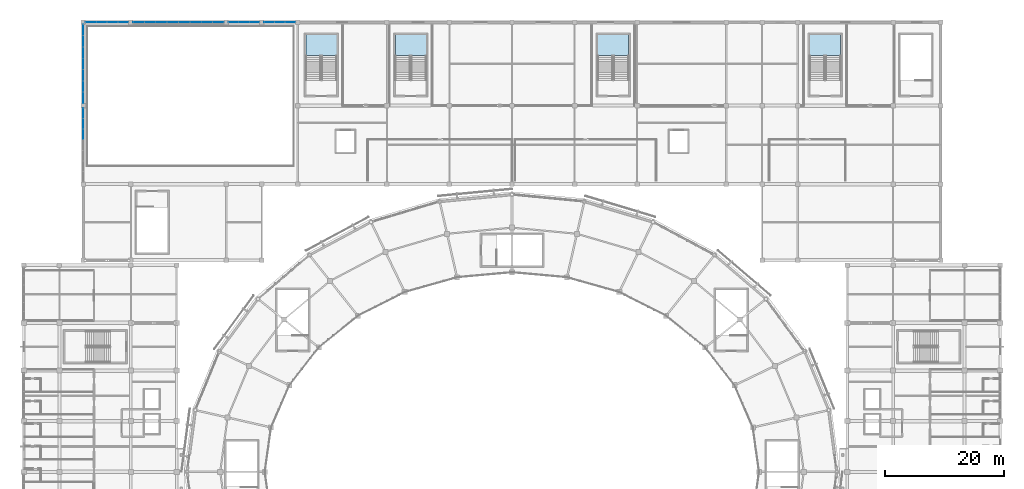
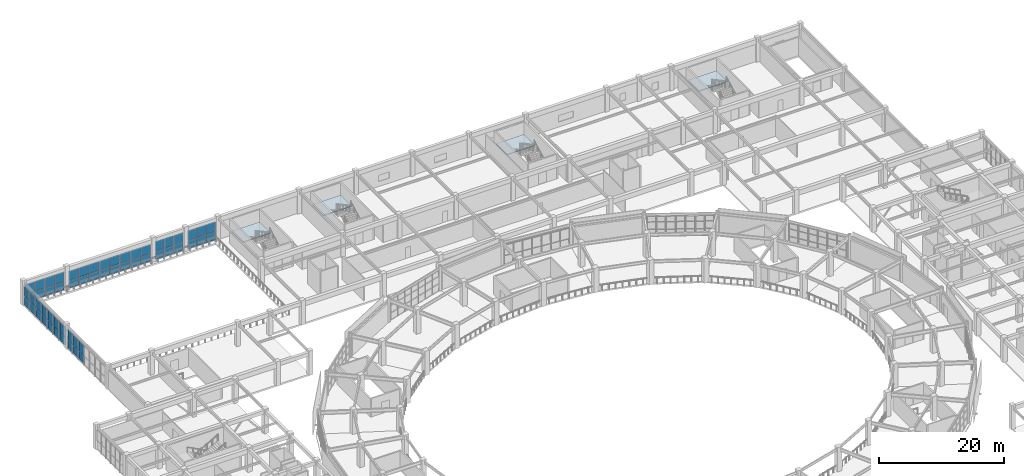
# One storey, part 76 of 112: 56 plates, 4 slabs, 10 elements without a shape of their own.
"""IFC4 building model written with IfcOpenShell, lengths in metres."""

from ifc_helpers import new_model, si_unit, direction, frame, origin, origin_2d, place, context, subcontext, project, spatial, polyline, rectangle, outline, extrude, material, layer, layer_set, type_object, element, aggregate, save


model = new_model("IFC4")

# Units and contexts
model_context = context("Model", 3, precision=1e-05, world=origin(), true_north=direction((0.0, 1.0)))
body_context = subcontext(model_context, "Body", "Model", "MODEL_VIEW")
ifc_project = project(units=[si_unit("LENGTHUNIT", "METRE"), si_unit("AREAUNIT", "SQUARE_METRE"), si_unit("VOLUMEUNIT", "CUBIC_METRE"), si_unit("PLANEANGLEUNIT", "RADIAN"), si_unit("MASSUNIT", "GRAM", prefix="KILO")], contexts=[model_context])

# Site, building, storey
site_placement = place(None, origin())
site = spatial("IfcSite", under=ifc_project, at=site_placement, CompositionType="ELEMENT")
building_placement = place(site_placement, origin())
building = spatial("IfcBuilding", under=site, at=building_placement, Name="Cuetzalor Civic Arena", CompositionType="ELEMENT")
storey_placement = place(building_placement, frame((0.0, 0.0, 11.39990234375)))
storey = spatial("IfcBuildingStorey", under=building, at=storey_placement, Name="L02", CompositionType="ELEMENT", Elevation=11.39990234375)

# Curtain wall, plates
ifc_material_1 = material(Name="Anodised dark bronze aluminium and low-E solar glass", Category="aluminium")
curtain_wall_type_1 = type_object("IfcCurtainWallType", Name="StickCW_7300x3700", PredefinedType="USERDEFINED", material=ifc_material_1)
curtain_wall_1_placement = place(storey_placement, origin())
curtain_wall_1 = element("IfcCurtainWall", 1, at=curtain_wall_1_placement, inside=storey, type_object=curtain_wall_type_1, Name="Practice Court North-Light Curtain Wall L02-157", ObjectType="STICK CURTAIN WALL", PredefinedType="USERDEFINED")
ifc_material_2 = material(Name="Low-E laminated solar control glass", Category="glass")
ifc_layer_1 = layer(ifc_material_2, 0.031982421875)
ifc_layer_set_1 = layer_set([ifc_layer_1], Name="Low-E laminated solar control glass")
plate_type = type_object("IfcPlateType", Name="SolarControlGlazedPanel_32", PredefinedType="CURTAIN_PANEL", material=ifc_layer_set_1)
plate_1_placement = place(storey_placement, frame((-70.716064453125, 75.5, 0.06494140625), z_axis=(0.0, 0.0, 1.0), x_axis=(1.0, 0.0, 0.0)))
plate_1 = element("IfcPlate", 2, at=plate_1_placement, type_object=plate_type, Name="CW-51 panel 1.1", PredefinedType="CURTAIN_PANEL", context=body_context, shape_type="SweptSolid", body=[
    extrude(rectangle(XDim=1.72412109375, YDim=0.031982421875, at=origin_2d()), origin(), (0.0, 0.0, 1.0), 1.576416015625),
])
plate_2_placement = place(storey_placement, frame((-70.716064453125, 75.5, 1.70654296875), z_axis=(0.0, 0.0, 1.0), x_axis=(1.0, 0.0, 0.0)))
plate_2 = element("IfcPlate", 3, at=plate_2_placement, type_object=plate_type, Name="CW-51 panel 1.2", PredefinedType="CURTAIN_PANEL", context=body_context, shape_type="SweptSolid", body=[
    extrude(rectangle(XDim=1.72412109375, YDim=0.031982421875, at=origin_2d()), origin(), (0.0, 0.0, 1.0), 1.948486328125),
])
plate_3_placement = place(storey_placement, frame((-68.91064453125, 75.5, 0.06494140625), z_axis=(0.0, 0.0, 1.0), x_axis=(1.0, 0.0, 0.0)))
plate_3 = element("IfcPlate", 4, at=plate_3_placement, type_object=plate_type, Name="CW-51 panel 2.1", PredefinedType="CURTAIN_PANEL", context=body_context, shape_type="SweptSolid", body=[
    extrude(rectangle(XDim=1.756591796875, YDim=0.031982421875, at=origin_2d()), origin(), (0.0, 0.0, 1.0), 1.576416015625),
])
plate_4_placement = place(storey_placement, frame((-68.91064453125, 75.5, 1.70654296875), z_axis=(0.0, 0.0, 1.0), x_axis=(1.0, 0.0, 0.0)))
plate_4 = element("IfcPlate", 5, at=plate_4_placement, type_object=plate_type, Name="CW-51 panel 2.2", PredefinedType="CURTAIN_PANEL", context=body_context, shape_type="SweptSolid", body=[
    extrude(rectangle(XDim=1.756591796875, YDim=0.031982421875, at=origin_2d()), origin(), (0.0, 0.0, 1.0), 1.948486328125),
])
plate_5_placement = place(storey_placement, frame((-67.08935546875, 75.5, 0.06494140625), z_axis=(0.0, 0.0, 1.0), x_axis=(1.0, 0.0, 0.0)))
plate_5 = element("IfcPlate", 6, at=plate_5_placement, type_object=plate_type, Name="CW-51 panel 3.1", PredefinedType="CURTAIN_PANEL", context=body_context, shape_type="SweptSolid", body=[
    extrude(rectangle(XDim=1.756591796875, YDim=0.031982421875, at=origin_2d()), origin(), (0.0, 0.0, 1.0), 1.576416015625),
])
plate_6_placement = place(storey_placement, frame((-67.08935546875, 75.5, 1.70654296875), z_axis=(0.0, 0.0, 1.0), x_axis=(1.0, 0.0, 0.0)))
plate_6 = element("IfcPlate", 7, at=plate_6_placement, type_object=plate_type, Name="CW-51 panel 3.2", PredefinedType="CURTAIN_PANEL", context=body_context, shape_type="SweptSolid", body=[
    extrude(rectangle(XDim=1.756591796875, YDim=0.031982421875, at=origin_2d()), origin(), (0.0, 0.0, 1.0), 1.948486328125),
])
plate_7_placement = place(storey_placement, frame((-65.283935546875, 75.5, 0.06494140625), z_axis=(0.0, 0.0, 1.0), x_axis=(1.0, 0.0, 0.0)))
plate_7 = element("IfcPlate", 8, at=plate_7_placement, type_object=plate_type, Name="CW-51 panel 4.1", PredefinedType="CURTAIN_PANEL", context=body_context, shape_type="SweptSolid", body=[
    extrude(rectangle(XDim=1.72412109375, YDim=0.031982421875, at=origin_2d()), origin(), (0.0, 0.0, 1.0), 1.576416015625),
])
plate_8_placement = place(storey_placement, frame((-65.283935546875, 75.5, 1.70654296875), z_axis=(0.0, 0.0, 1.0), x_axis=(1.0, 0.0, 0.0)))
plate_8 = element("IfcPlate", 9, at=plate_8_placement, type_object=plate_type, Name="CW-51 panel 4.2", PredefinedType="CURTAIN_PANEL", context=body_context, shape_type="SweptSolid", body=[
    extrude(rectangle(XDim=1.72412109375, YDim=0.031982421875, at=origin_2d()), origin(), (0.0, 0.0, 1.0), 1.948486328125),
])
aggregate(curtain_wall_1, [plate_1, plate_2, plate_3, plate_4, plate_5, plate_6, plate_7, plate_8])

ifc_material_3 = material(Name="Anodised dark bronze aluminium and low-E solar glass", Category="aluminium")
curtain_wall_type_2 = type_object("IfcCurtainWallType", Name="StickCW_15300x3500", PredefinedType="USERDEFINED", material=ifc_material_3)
curtain_wall_2_placement = place(storey_placement, origin())
curtain_wall_2 = element("IfcCurtainWall", 10, at=curtain_wall_2_placement, inside=storey, type_object=curtain_wall_type_2, Name="Practice Court North-Light Curtain Wall L02-158", ObjectType="STICK CURTAIN WALL", PredefinedType="USERDEFINED")
plate_9_placement = place(storey_placement, frame((-62.67138671875, 75.5, 0.06494140625), z_axis=(0.0, 0.0, 1.0), x_axis=(1.0, 0.0, 0.0)))
plate_9 = element("IfcPlate", 11, at=plate_9_placement, type_object=plate_type, Name="CW-52 panel 1.1", PredefinedType="CURTAIN_PANEL", context=body_context, shape_type="SweptSolid", body=[
    extrude(rectangle(XDim=1.813232421875, YDim=0.031982421875, at=origin_2d()), origin(), (0.0, 0.0, 1.0), 1.486572265625),
])
plate_10_placement = place(storey_placement, frame((-62.67138671875, 75.5, 1.61669921875), z_axis=(0.0, 0.0, 1.0), x_axis=(1.0, 0.0, 0.0)))
plate_10 = element("IfcPlate", 12, at=plate_10_placement, type_object=plate_type, Name="CW-52 panel 1.2", PredefinedType="CURTAIN_PANEL", context=body_context, shape_type="SweptSolid", body=[
    extrude(rectangle(XDim=1.813232421875, YDim=0.031982421875, at=origin_2d()), origin(), (0.0, 0.0, 1.0), 1.83837890625),
])
plate_11_placement = place(storey_placement, frame((-60.77685546875, 75.5, 0.06494140625), z_axis=(0.0, 0.0, 1.0), x_axis=(1.0, 0.0, 0.0)))
plate_11 = element("IfcPlate", 13, at=plate_11_placement, type_object=plate_type, Name="CW-52 panel 2.1", PredefinedType="CURTAIN_PANEL", context=body_context, shape_type="SweptSolid", body=[
    extrude(rectangle(XDim=1.845703125, YDim=0.031982421875, at=origin_2d()), origin(), (0.0, 0.0, 1.0), 1.486572265625),
])
plate_12_placement = place(storey_placement, frame((-60.77685546875, 75.5, 1.61669921875), z_axis=(0.0, 0.0, 1.0), x_axis=(1.0, 0.0, 0.0)))
plate_12 = element("IfcPlate", 14, at=plate_12_placement, type_object=plate_type, Name="CW-52 panel 2.2", PredefinedType="CURTAIN_PANEL", context=body_context, shape_type="SweptSolid", body=[
    extrude(rectangle(XDim=1.845703125, YDim=0.031982421875, at=origin_2d()), origin(), (0.0, 0.0, 1.0), 1.83837890625),
])
plate_13_placement = place(storey_placement, frame((-58.8662109375, 75.5, 0.06494140625), z_axis=(0.0, 0.0, 1.0), x_axis=(1.0, 0.0, 0.0)))
plate_13 = element("IfcPlate", 15, at=plate_13_placement, type_object=plate_type, Name="CW-52 panel 3.1", PredefinedType="CURTAIN_PANEL", context=body_context, shape_type="SweptSolid", body=[
    extrude(rectangle(XDim=1.845703125, YDim=0.031982421875, at=origin_2d()), origin(), (0.0, 0.0, 1.0), 1.486572265625),
])
plate_14_placement = place(storey_placement, frame((-58.8662109375, 75.5, 1.61669921875), z_axis=(0.0, 0.0, 1.0), x_axis=(1.0, 0.0, 0.0)))
plate_14 = element("IfcPlate", 16, at=plate_14_placement, type_object=plate_type, Name="CW-52 panel 3.2", PredefinedType="CURTAIN_PANEL", context=body_context, shape_type="SweptSolid", body=[
    extrude(rectangle(XDim=1.845703125, YDim=0.031982421875, at=origin_2d()), origin(), (0.0, 0.0, 1.0), 1.83837890625),
])
plate_15_placement = place(storey_placement, frame((-56.955322265625, 75.5, 0.06494140625), z_axis=(0.0, 0.0, 1.0), x_axis=(1.0, 0.0, 0.0)))
plate_15 = element("IfcPlate", 17, at=plate_15_placement, type_object=plate_type, Name="CW-52 panel 4.1", PredefinedType="CURTAIN_PANEL", context=body_context, shape_type="SweptSolid", body=[
    extrude(rectangle(XDim=1.845703125, YDim=0.031982421875, at=origin_2d()), origin(), (0.0, 0.0, 1.0), 1.486572265625),
])
plate_16_placement = place(storey_placement, frame((-56.955322265625, 75.5, 1.61669921875), z_axis=(0.0, 0.0, 1.0), x_axis=(1.0, 0.0, 0.0)))
plate_16 = element("IfcPlate", 18, at=plate_16_placement, type_object=plate_type, Name="CW-52 panel 4.2", PredefinedType="CURTAIN_PANEL", context=body_context, shape_type="SweptSolid", body=[
    extrude(rectangle(XDim=1.845703125, YDim=0.031982421875, at=origin_2d()), origin(), (0.0, 0.0, 1.0), 1.83837890625),
])
plate_17_placement = place(storey_placement, frame((-55.044677734375, 75.5, 0.06494140625), z_axis=(0.0, 0.0, 1.0), x_axis=(1.0, 0.0, 0.0)))
plate_17 = element("IfcPlate", 19, at=plate_17_placement, type_object=plate_type, Name="CW-52 panel 5.1", PredefinedType="CURTAIN_PANEL", context=body_context, shape_type="SweptSolid", body=[
    extrude(rectangle(XDim=1.845703125, YDim=0.031982421875, at=origin_2d()), origin(), (0.0, 0.0, 1.0), 1.486572265625),
])
plate_18_placement = place(storey_placement, frame((-55.044677734375, 75.5, 1.61669921875), z_axis=(0.0, 0.0, 1.0), x_axis=(1.0, 0.0, 0.0)))
plate_18 = element("IfcPlate", 20, at=plate_18_placement, type_object=plate_type, Name="CW-52 panel 5.2", PredefinedType="CURTAIN_PANEL", context=body_context, shape_type="SweptSolid", body=[
    extrude(rectangle(XDim=1.845703125, YDim=0.031982421875, at=origin_2d()), origin(), (0.0, 0.0, 1.0), 1.83837890625),
])
plate_19_placement = place(storey_placement, frame((-53.1337890625, 75.5, 0.06494140625), z_axis=(0.0, 0.0, 1.0), x_axis=(1.0, 0.0, 0.0)))
plate_19 = element("IfcPlate", 21, at=plate_19_placement, type_object=plate_type, Name="CW-52 panel 6.1", PredefinedType="CURTAIN_PANEL", context=body_context, shape_type="SweptSolid", body=[
    extrude(rectangle(XDim=1.845703125, YDim=0.031982421875, at=origin_2d()), origin(), (0.0, 0.0, 1.0), 1.486572265625),
])
plate_20_placement = place(storey_placement, frame((-53.1337890625, 75.5, 1.61669921875), z_axis=(0.0, 0.0, 1.0), x_axis=(1.0, 0.0, 0.0)))
plate_20 = element("IfcPlate", 22, at=plate_20_placement, type_object=plate_type, Name="CW-52 panel 6.2", PredefinedType="CURTAIN_PANEL", context=body_context, shape_type="SweptSolid", body=[
    extrude(rectangle(XDim=1.845703125, YDim=0.031982421875, at=origin_2d()), origin(), (0.0, 0.0, 1.0), 1.83837890625),
])
plate_21_placement = place(storey_placement, frame((-51.22314453125, 75.5, 0.06494140625), z_axis=(0.0, 0.0, 1.0), x_axis=(1.0, 0.0, 0.0)))
plate_21 = element("IfcPlate", 23, at=plate_21_placement, type_object=plate_type, Name="CW-52 panel 7.1", PredefinedType="CURTAIN_PANEL", context=body_context, shape_type="SweptSolid", body=[
    extrude(rectangle(XDim=1.845703125, YDim=0.031982421875, at=origin_2d()), origin(), (0.0, 0.0, 1.0), 1.486572265625),
])
plate_22_placement = place(storey_placement, frame((-51.22314453125, 75.5, 1.61669921875), z_axis=(0.0, 0.0, 1.0), x_axis=(1.0, 0.0, 0.0)))
plate_22 = element("IfcPlate", 24, at=plate_22_placement, type_object=plate_type, Name="CW-52 panel 7.2", PredefinedType="CURTAIN_PANEL", context=body_context, shape_type="SweptSolid", body=[
    extrude(rectangle(XDim=1.845703125, YDim=0.031982421875, at=origin_2d()), origin(), (0.0, 0.0, 1.0), 1.83837890625),
])
plate_23_placement = place(storey_placement, frame((-49.32861328125, 75.5, 0.06494140625), z_axis=(0.0, 0.0, 1.0), x_axis=(1.0, 0.0, 0.0)))
plate_23 = element("IfcPlate", 25, at=plate_23_placement, type_object=plate_type, Name="CW-52 panel 8.1", PredefinedType="CURTAIN_PANEL", context=body_context, shape_type="SweptSolid", body=[
    extrude(rectangle(XDim=1.813232421875, YDim=0.031982421875, at=origin_2d()), origin(), (0.0, 0.0, 1.0), 1.486572265625),
])
plate_24_placement = place(storey_placement, frame((-49.32861328125, 75.5, 1.61669921875), z_axis=(0.0, 0.0, 1.0), x_axis=(1.0, 0.0, 0.0)))
plate_24 = element("IfcPlate", 26, at=plate_24_placement, type_object=plate_type, Name="CW-52 panel 8.2", PredefinedType="CURTAIN_PANEL", context=body_context, shape_type="SweptSolid", body=[
    extrude(rectangle(XDim=1.813232421875, YDim=0.031982421875, at=origin_2d()), origin(), (0.0, 0.0, 1.0), 1.83837890625),
])
aggregate(curtain_wall_2, [plate_9, plate_10, plate_11, plate_12, plate_13, plate_14, plate_15, plate_16, plate_17, plate_18, plate_19, plate_20, plate_21, plate_22, plate_23, plate_24])

ifc_material_4 = material(Name="Anodised dark bronze aluminium and low-E solar glass", Category="aluminium")
curtain_wall_type_3 = type_object("IfcCurtainWallType", Name="StickCW_5300x3700", PredefinedType="USERDEFINED", material=ifc_material_4)
curtain_wall_3_placement = place(storey_placement, origin())
curtain_wall_3 = element("IfcCurtainWall", 27, at=curtain_wall_3_placement, inside=storey, type_object=curtain_wall_type_3, Name="Practice Court North-Light Curtain Wall L02-159", ObjectType="STICK CURTAIN WALL", PredefinedType="USERDEFINED")
plate_25_placement = place(storey_placement, frame((-46.745849609375, 75.5, 0.06494140625), z_axis=(0.0, 0.0, 1.0), x_axis=(1.0, 0.0, 0.0)))
plate_25 = element("IfcPlate", 28, at=plate_25_placement, type_object=plate_type, Name="CW-53 panel 1.1", PredefinedType="CURTAIN_PANEL", context=body_context, shape_type="SweptSolid", body=[
    extrude(rectangle(XDim=1.66455078125, YDim=0.031982421875, at=origin_2d()), origin(), (0.0, 0.0, 1.0), 1.576416015625),
])
plate_26_placement = place(storey_placement, frame((-46.745849609375, 75.5, 1.70654296875), z_axis=(0.0, 0.0, 1.0), x_axis=(1.0, 0.0, 0.0)))
plate_26 = element("IfcPlate", 29, at=plate_26_placement, type_object=plate_type, Name="CW-53 panel 1.2", PredefinedType="CURTAIN_PANEL", context=body_context, shape_type="SweptSolid", body=[
    extrude(rectangle(XDim=1.66455078125, YDim=0.031982421875, at=origin_2d()), origin(), (0.0, 0.0, 1.0), 1.948486328125),
])
plate_27_placement = place(storey_placement, frame((-45.0, 75.5, 0.06494140625), z_axis=(0.0, 0.0, 1.0), x_axis=(1.0, 0.0, 0.0)))
plate_27 = element("IfcPlate", 30, at=plate_27_placement, type_object=plate_type, Name="CW-53 panel 2.1", PredefinedType="CURTAIN_PANEL", context=body_context, shape_type="SweptSolid", body=[
    extrude(rectangle(XDim=1.697021484375, YDim=0.031982421875, at=origin_2d()), origin(), (0.0, 0.0, 1.0), 1.576416015625),
])
plate_28_placement = place(storey_placement, frame((-45.0, 75.5, 1.70654296875), z_axis=(0.0, 0.0, 1.0), x_axis=(1.0, 0.0, 0.0)))
plate_28 = element("IfcPlate", 31, at=plate_28_placement, type_object=plate_type, Name="CW-53 panel 2.2", PredefinedType="CURTAIN_PANEL", context=body_context, shape_type="SweptSolid", body=[
    extrude(rectangle(XDim=1.697021484375, YDim=0.031982421875, at=origin_2d()), origin(), (0.0, 0.0, 1.0), 1.948486328125),
])
plate_29_placement = place(storey_placement, frame((-43.254150390625, 75.5, 0.06494140625), z_axis=(0.0, 0.0, 1.0), x_axis=(1.0, 0.0, 0.0)))
plate_29 = element("IfcPlate", 32, at=plate_29_placement, type_object=plate_type, Name="CW-53 panel 3.1", PredefinedType="CURTAIN_PANEL", context=body_context, shape_type="SweptSolid", body=[
    extrude(rectangle(XDim=1.66455078125, YDim=0.031982421875, at=origin_2d()), origin(), (0.0, 0.0, 1.0), 1.576416015625),
])
plate_30_placement = place(storey_placement, frame((-43.254150390625, 75.5, 1.70654296875), z_axis=(0.0, 0.0, 1.0), x_axis=(1.0, 0.0, 0.0)))
plate_30 = element("IfcPlate", 33, at=plate_30_placement, type_object=plate_type, Name="CW-53 panel 3.2", PredefinedType="CURTAIN_PANEL", context=body_context, shape_type="SweptSolid", body=[
    extrude(rectangle(XDim=1.66455078125, YDim=0.031982421875, at=origin_2d()), origin(), (0.0, 0.0, 1.0), 1.948486328125),
])
aggregate(curtain_wall_3, [plate_25, plate_26, plate_27, plate_28, plate_29, plate_30])

curtain_wall_4_placement = place(storey_placement, origin())
curtain_wall_4 = element("IfcCurtainWall", 34, at=curtain_wall_4_placement, inside=storey, type_object=curtain_wall_type_3, Name="Practice Court North-Light Curtain Wall L02-160", ObjectType="STICK CURTAIN WALL", PredefinedType="USERDEFINED")
plate_31_placement = place(storey_placement, frame((-40.745849609375, 75.5, 0.06494140625), z_axis=(0.0, 0.0, 1.0), x_axis=(1.0, 0.0, 0.0)))
plate_31 = element("IfcPlate", 35, at=plate_31_placement, type_object=plate_type, Name="CW-53 panel 1.1", PredefinedType="CURTAIN_PANEL", context=body_context, shape_type="SweptSolid", body=[
    extrude(rectangle(XDim=1.66455078125, YDim=0.031982421875, at=origin_2d()), origin(), (0.0, 0.0, 1.0), 1.576416015625),
])
plate_32_placement = place(storey_placement, frame((-40.745849609375, 75.5, 1.70654296875), z_axis=(0.0, 0.0, 1.0), x_axis=(1.0, 0.0, 0.0)))
plate_32 = element("IfcPlate", 36, at=plate_32_placement, type_object=plate_type, Name="CW-53 panel 1.2", PredefinedType="CURTAIN_PANEL", context=body_context, shape_type="SweptSolid", body=[
    extrude(rectangle(XDim=1.66455078125, YDim=0.031982421875, at=origin_2d()), origin(), (0.0, 0.0, 1.0), 1.948486328125),
])
plate_33_placement = place(storey_placement, frame((-39.0, 75.5, 0.06494140625), z_axis=(0.0, 0.0, 1.0), x_axis=(1.0, 0.0, 0.0)))
plate_33 = element("IfcPlate", 37, at=plate_33_placement, type_object=plate_type, Name="CW-53 panel 2.1", PredefinedType="CURTAIN_PANEL", context=body_context, shape_type="SweptSolid", body=[
    extrude(rectangle(XDim=1.697021484375, YDim=0.031982421875, at=origin_2d()), origin(), (0.0, 0.0, 1.0), 1.576416015625),
])
plate_34_placement = place(storey_placement, frame((-39.0, 75.5, 1.70654296875), z_axis=(0.0, 0.0, 1.0), x_axis=(1.0, 0.0, 0.0)))
plate_34 = element("IfcPlate", 38, at=plate_34_placement, type_object=plate_type, Name="CW-53 panel 2.2", PredefinedType="CURTAIN_PANEL", context=body_context, shape_type="SweptSolid", body=[
    extrude(rectangle(XDim=1.697021484375, YDim=0.031982421875, at=origin_2d()), origin(), (0.0, 0.0, 1.0), 1.948486328125),
])
plate_35_placement = place(storey_placement, frame((-37.254150390625, 75.5, 0.06494140625), z_axis=(0.0, 0.0, 1.0), x_axis=(1.0, 0.0, 0.0)))
plate_35 = element("IfcPlate", 39, at=plate_35_placement, type_object=plate_type, Name="CW-53 panel 3.1", PredefinedType="CURTAIN_PANEL", context=body_context, shape_type="SweptSolid", body=[
    extrude(rectangle(XDim=1.66455078125, YDim=0.031982421875, at=origin_2d()), origin(), (0.0, 0.0, 1.0), 1.576416015625),
])
plate_36_placement = place(storey_placement, frame((-37.254150390625, 75.5, 1.70654296875), z_axis=(0.0, 0.0, 1.0), x_axis=(1.0, 0.0, 0.0)))
plate_36 = element("IfcPlate", 40, at=plate_36_placement, type_object=plate_type, Name="CW-53 panel 3.2", PredefinedType="CURTAIN_PANEL", context=body_context, shape_type="SweptSolid", body=[
    extrude(rectangle(XDim=1.66455078125, YDim=0.031982421875, at=origin_2d()), origin(), (0.0, 0.0, 1.0), 1.948486328125),
])
aggregate(curtain_wall_4, [plate_31, plate_32, plate_33, plate_34, plate_35, plate_36])

ifc_material_5 = material(Name="Anodised dark bronze aluminium and low-E solar glass", Category="aluminium")
curtain_wall_type_4 = type_object("IfcCurtainWallType", Name="StickCW_12500x3700", PredefinedType="USERDEFINED", material=ifc_material_5)
curtain_wall_5_placement = place(storey_placement, origin())
curtain_wall_5 = element("IfcCurtainWall", 41, at=curtain_wall_5_placement, inside=storey, type_object=curtain_wall_type_4, Name="Practice Court West Clerestory Curtain Wall L02-161", ObjectType="STICK CURTAIN WALL", PredefinedType="USERDEFINED")
plate_37_placement = place(storey_placement, frame((-72.0, 56.68359375, 0.06494140625), z_axis=(0.0, 0.0, 1.0), x_axis=(0.0, 1.0, 0.0)))
plate_37 = element("IfcPlate", 42, at=plate_37_placement, type_object=plate_type, Name="CW-54 panel 5.1", PredefinedType="CURTAIN_PANEL", context=body_context, shape_type="SweptSolid", body=[
    extrude(rectangle(XDim=1.71875, YDim=0.031982421875, at=origin_2d()), origin(), (0.0, 0.0, 1.0), 1.576416015625),
])
plate_38_placement = place(storey_placement, frame((-72.0, 56.68359375, 1.70654296875), z_axis=(0.0, 0.0, 1.0), x_axis=(0.0, 1.0, 0.0)))
plate_38 = element("IfcPlate", 43, at=plate_38_placement, type_object=plate_type, Name="CW-54 panel 5.2", PredefinedType="CURTAIN_PANEL", context=body_context, shape_type="SweptSolid", body=[
    extrude(rectangle(XDim=1.71875, YDim=0.031982421875, at=origin_2d()), origin(), (0.0, 0.0, 1.0), 1.948486328125),
])
plate_39_placement = place(storey_placement, frame((-72.0, 58.467529296875, 0.06494140625), z_axis=(0.0, 0.0, 1.0), x_axis=(0.0, 1.0, 0.0)))
plate_39 = element("IfcPlate", 44, at=plate_39_placement, type_object=plate_type, Name="CW-54 panel 6.1", PredefinedType="CURTAIN_PANEL", context=body_context, shape_type="SweptSolid", body=[
    extrude(rectangle(XDim=1.71875, YDim=0.031982421875, at=origin_2d()), origin(), (0.0, 0.0, 1.0), 1.576416015625),
])
plate_40_placement = place(storey_placement, frame((-72.0, 58.467529296875, 1.70654296875), z_axis=(0.0, 0.0, 1.0), x_axis=(0.0, 1.0, 0.0)))
plate_40 = element("IfcPlate", 45, at=plate_40_placement, type_object=plate_type, Name="CW-54 panel 6.2", PredefinedType="CURTAIN_PANEL", context=body_context, shape_type="SweptSolid", body=[
    extrude(rectangle(XDim=1.71875, YDim=0.031982421875, at=origin_2d()), origin(), (0.0, 0.0, 1.0), 1.948486328125),
])
plate_41_placement = place(storey_placement, frame((-72.0, 60.23486328125, 0.06494140625), z_axis=(0.0, 0.0, 1.0), x_axis=(0.0, 1.0, 0.0)))
plate_41 = element("IfcPlate", 46, at=plate_41_placement, type_object=plate_type, Name="CW-54 panel 7.1", PredefinedType="CURTAIN_PANEL", context=body_context, shape_type="SweptSolid", body=[
    extrude(rectangle(XDim=1.686279296875, YDim=0.031982421875, at=origin_2d()), origin(), (0.0, 0.0, 1.0), 1.576416015625),
])
plate_42_placement = place(storey_placement, frame((-72.0, 60.23486328125, 1.70654296875), z_axis=(0.0, 0.0, 1.0), x_axis=(0.0, 1.0, 0.0)))
plate_42 = element("IfcPlate", 47, at=plate_42_placement, type_object=plate_type, Name="CW-54 panel 7.2", PredefinedType="CURTAIN_PANEL", context=body_context, shape_type="SweptSolid", body=[
    extrude(rectangle(XDim=1.686279296875, YDim=0.031982421875, at=origin_2d()), origin(), (0.0, 0.0, 1.0), 1.948486328125),
])
aggregate(curtain_wall_5, [plate_37, plate_38, plate_39, plate_40, plate_41, plate_42])

ifc_material_6 = material(Name="Anodised dark bronze aluminium and low-E solar glass", Category="aluminium")
curtain_wall_type_5 = type_object("IfcCurtainWallType", Name="StickCW_13300x3700", PredefinedType="USERDEFINED", material=ifc_material_6)
curtain_wall_6_placement = place(storey_placement, origin())
curtain_wall_6 = element("IfcCurtainWall", 48, at=curtain_wall_6_placement, inside=storey, type_object=curtain_wall_type_5, Name="Practice Court West Clerestory Curtain Wall L02-162", ObjectType="STICK CURTAIN WALL", PredefinedType="USERDEFINED")
plate_43_placement = place(storey_placement, frame((-72.0, 62.822265625, 0.06494140625), z_axis=(0.0, 0.0, 1.0), x_axis=(0.0, 1.0, 0.0)))
plate_43 = element("IfcPlate", 49, at=plate_43_placement, type_object=plate_type, Name="CW-55 panel 1.1", PredefinedType="CURTAIN_PANEL", context=body_context, shape_type="SweptSolid", body=[
    extrude(rectangle(XDim=1.800537109375, YDim=0.031982421875, at=origin_2d()), origin(), (0.0, 0.0, 1.0), 1.576416015625),
])
plate_44_placement = place(storey_placement, frame((-72.0, 62.822265625, 1.70654296875), z_axis=(0.0, 0.0, 1.0), x_axis=(0.0, 1.0, 0.0)))
plate_44 = element("IfcPlate", 50, at=plate_44_placement, type_object=plate_type, Name="CW-55 panel 1.2", PredefinedType="CURTAIN_PANEL", context=body_context, shape_type="SweptSolid", body=[
    extrude(rectangle(XDim=1.800537109375, YDim=0.031982421875, at=origin_2d()), origin(), (0.0, 0.0, 1.0), 1.948486328125),
])
plate_45_placement = place(storey_placement, frame((-72.0, 64.7041015625, 0.06494140625), z_axis=(0.0, 0.0, 1.0), x_axis=(0.0, 1.0, 0.0)))
plate_45 = element("IfcPlate", 51, at=plate_45_placement, type_object=plate_type, Name="CW-55 panel 2.1", PredefinedType="CURTAIN_PANEL", context=body_context, shape_type="SweptSolid", body=[
    extrude(rectangle(XDim=1.8330078125, YDim=0.031982421875, at=origin_2d()), origin(), (0.0, 0.0, 1.0), 1.576416015625),
])
plate_46_placement = place(storey_placement, frame((-72.0, 64.7041015625, 1.70654296875), z_axis=(0.0, 0.0, 1.0), x_axis=(0.0, 1.0, 0.0)))
plate_46 = element("IfcPlate", 52, at=plate_46_placement, type_object=plate_type, Name="CW-55 panel 2.2", PredefinedType="CURTAIN_PANEL", context=body_context, shape_type="SweptSolid", body=[
    extrude(rectangle(XDim=1.8330078125, YDim=0.031982421875, at=origin_2d()), origin(), (0.0, 0.0, 1.0), 1.948486328125),
])
plate_47_placement = place(storey_placement, frame((-72.0, 66.60205078125, 0.06494140625), z_axis=(0.0, 0.0, 1.0), x_axis=(0.0, 1.0, 0.0)))
plate_47 = element("IfcPlate", 53, at=plate_47_placement, type_object=plate_type, Name="CW-55 panel 3.1", PredefinedType="CURTAIN_PANEL", context=body_context, shape_type="SweptSolid", body=[
    extrude(rectangle(XDim=1.8330078125, YDim=0.031982421875, at=origin_2d()), origin(), (0.0, 0.0, 1.0), 1.576416015625),
])
plate_48_placement = place(storey_placement, frame((-72.0, 66.60205078125, 1.70654296875), z_axis=(0.0, 0.0, 1.0), x_axis=(0.0, 1.0, 0.0)))
plate_48 = element("IfcPlate", 54, at=plate_48_placement, type_object=plate_type, Name="CW-55 panel 3.2", PredefinedType="CURTAIN_PANEL", context=body_context, shape_type="SweptSolid", body=[
    extrude(rectangle(XDim=1.8330078125, YDim=0.031982421875, at=origin_2d()), origin(), (0.0, 0.0, 1.0), 1.948486328125),
])
plate_49_placement = place(storey_placement, frame((-72.0, 68.5, 0.06494140625), z_axis=(0.0, 0.0, 1.0), x_axis=(0.0, 1.0, 0.0)))
plate_49 = element("IfcPlate", 55, at=plate_49_placement, type_object=plate_type, Name="CW-55 panel 4.1", PredefinedType="CURTAIN_PANEL", context=body_context, shape_type="SweptSolid", body=[
    extrude(rectangle(XDim=1.8330078125, YDim=0.031982421875, at=origin_2d()), origin(), (0.0, 0.0, 1.0), 1.576416015625),
])
plate_50_placement = place(storey_placement, frame((-72.0, 68.5, 1.70654296875), z_axis=(0.0, 0.0, 1.0), x_axis=(0.0, 1.0, 0.0)))
plate_50 = element("IfcPlate", 56, at=plate_50_placement, type_object=plate_type, Name="CW-55 panel 4.2", PredefinedType="CURTAIN_PANEL", context=body_context, shape_type="SweptSolid", body=[
    extrude(rectangle(XDim=1.8330078125, YDim=0.031982421875, at=origin_2d()), origin(), (0.0, 0.0, 1.0), 1.948486328125),
])
plate_51_placement = place(storey_placement, frame((-72.0, 70.39794921875, 0.06494140625), z_axis=(0.0, 0.0, 1.0), x_axis=(0.0, 1.0, 0.0)))
plate_51 = element("IfcPlate", 57, at=plate_51_placement, type_object=plate_type, Name="CW-55 panel 5.1", PredefinedType="CURTAIN_PANEL", context=body_context, shape_type="SweptSolid", body=[
    extrude(rectangle(XDim=1.8330078125, YDim=0.031982421875, at=origin_2d()), origin(), (0.0, 0.0, 1.0), 1.576416015625),
])
plate_52_placement = place(storey_placement, frame((-72.0, 70.39794921875, 1.70654296875), z_axis=(0.0, 0.0, 1.0), x_axis=(0.0, 1.0, 0.0)))
plate_52 = element("IfcPlate", 58, at=plate_52_placement, type_object=plate_type, Name="CW-55 panel 5.2", PredefinedType="CURTAIN_PANEL", context=body_context, shape_type="SweptSolid", body=[
    extrude(rectangle(XDim=1.8330078125, YDim=0.031982421875, at=origin_2d()), origin(), (0.0, 0.0, 1.0), 1.948486328125),
])
plate_53_placement = place(storey_placement, frame((-72.0, 72.2958984375, 0.06494140625), z_axis=(0.0, 0.0, 1.0), x_axis=(0.0, 1.0, 0.0)))
plate_53 = element("IfcPlate", 59, at=plate_53_placement, type_object=plate_type, Name="CW-55 panel 6.1", PredefinedType="CURTAIN_PANEL", context=body_context, shape_type="SweptSolid", body=[
    extrude(rectangle(XDim=1.8330078125, YDim=0.031982421875, at=origin_2d()), origin(), (0.0, 0.0, 1.0), 1.576416015625),
])
plate_54_placement = place(storey_placement, frame((-72.0, 72.2958984375, 1.70654296875), z_axis=(0.0, 0.0, 1.0), x_axis=(0.0, 1.0, 0.0)))
plate_54 = element("IfcPlate", 60, at=plate_54_placement, type_object=plate_type, Name="CW-55 panel 6.2", PredefinedType="CURTAIN_PANEL", context=body_context, shape_type="SweptSolid", body=[
    extrude(rectangle(XDim=1.8330078125, YDim=0.031982421875, at=origin_2d()), origin(), (0.0, 0.0, 1.0), 1.948486328125),
])
plate_55_placement = place(storey_placement, frame((-72.0, 74.177734375, 0.06494140625), z_axis=(0.0, 0.0, 1.0), x_axis=(0.0, 1.0, 0.0)))
plate_55 = element("IfcPlate", 61, at=plate_55_placement, type_object=plate_type, Name="CW-55 panel 7.1", PredefinedType="CURTAIN_PANEL", context=body_context, shape_type="SweptSolid", body=[
    extrude(rectangle(XDim=1.800537109375, YDim=0.031982421875, at=origin_2d()), origin(), (0.0, 0.0, 1.0), 1.576416015625),
])
plate_56_placement = place(storey_placement, frame((-72.0, 74.177734375, 1.70654296875), z_axis=(0.0, 0.0, 1.0), x_axis=(0.0, 1.0, 0.0)))
plate_56 = element("IfcPlate", 62, at=plate_56_placement, type_object=plate_type, Name="CW-55 panel 7.2", PredefinedType="CURTAIN_PANEL", context=body_context, shape_type="SweptSolid", body=[
    extrude(rectangle(XDim=1.800537109375, YDim=0.031982421875, at=origin_2d()), origin(), (0.0, 0.0, 1.0), 1.948486328125),
])
aggregate(curtain_wall_6, [plate_43, plate_44, plate_45, plate_46, plate_47, plate_48, plate_49, plate_50, plate_51, plate_52, plate_53, plate_54, plate_55, plate_56])

# Stair, slab
ifc_material_7 = material(Name="Precast concrete C40/50", Category="concrete")
stair_type = type_object("IfcStairType", Name="EnclosedExitStair_H480", PredefinedType="HALF_TURN_STAIR", material=ifc_material_7)
stair_1_placement = place(storey_placement, origin())
stair_1 = element("IfcStair", 63, at=stair_1_placement, inside=storey, type_object=stair_type, Name="L02 Enclosed Exit Stair ST-24", PredefinedType="HALF_TURN_STAIR")
ifc_material_8 = material(Name="Concrete C40/50", Category="concrete")
ifc_layer_2 = layer(ifc_material_8, 0.199951171875)
ifc_layer_set_2 = layer_set([ifc_layer_2], Name="Concrete C40/50")
slab_type = type_object("IfcSlabType", Name="StairHalfLandingSlab_200", PredefinedType="LANDING", material=ifc_layer_set_2)
slab_1_placement = place(storey_placement, frame((0.0, 0.0, 2.2001953125)))
slab_1 = element("IfcSlab", 64, at=slab_1_placement, type_object=slab_type, Name="ST-24 landing 1", PredefinedType="LANDING", context=body_context, shape_type="SweptSolid", body=[
    extrude(outline(polyline([(-29.39990234375, 69.884033203125), (-29.39990234375, 73.39990234375), (-34.60009765625, 73.39990234375), (-34.60009765625, 69.884033203125), (-29.39990234375, 69.884033203125)])), origin(), (0.0, 0.0, 1.0), 0.199951171875),
])
aggregate(stair_1, [slab_1])

stair_2_placement = place(storey_placement, origin())
stair_2 = element("IfcStair", 65, at=stair_2_placement, inside=storey, type_object=stair_type, Name="L02 Enclosed Exit Stair ST-25", PredefinedType="HALF_TURN_STAIR")
slab_2_placement = place(storey_placement, frame((0.0, 0.0, 2.2001953125)))
slab_2 = element("IfcSlab", 66, at=slab_2_placement, type_object=slab_type, Name="ST-25 landing 1", PredefinedType="LANDING", context=body_context, shape_type="SweptSolid", body=[
    extrude(outline(polyline([(-14.39990234375, 69.884033203125), (-14.39990234375, 73.39990234375), (-19.60009765625, 73.39990234375), (-19.60009765625, 69.884033203125), (-14.39990234375, 69.884033203125)])), origin(), (0.0, 0.0, 1.0), 0.199951171875),
])
aggregate(stair_2, [slab_2])

stair_3_placement = place(storey_placement, origin())
stair_3 = element("IfcStair", 67, at=stair_3_placement, inside=storey, type_object=stair_type, Name="L02 Enclosed Exit Stair ST-26", PredefinedType="HALF_TURN_STAIR")
slab_3_placement = place(storey_placement, frame((0.0, 0.0, 2.2001953125)))
slab_3 = element("IfcSlab", 68, at=slab_3_placement, type_object=slab_type, Name="ST-26 landing 1", PredefinedType="LANDING", context=body_context, shape_type="SweptSolid", body=[
    extrude(outline(polyline([(19.60009765625, 69.884033203125), (19.60009765625, 73.39990234375), (14.39990234375, 73.39990234375), (14.39990234375, 69.884033203125), (19.60009765625, 69.884033203125)])), origin(), (0.0, 0.0, 1.0), 0.199951171875),
])
aggregate(stair_3, [slab_3])

stair_4_placement = place(storey_placement, origin())
stair_4 = element("IfcStair", 69, at=stair_4_placement, inside=storey, type_object=stair_type, Name="L02 Enclosed Exit Stair ST-27", PredefinedType="HALF_TURN_STAIR")
slab_4_placement = place(storey_placement, frame((0.0, 0.0, 2.2001953125)))
slab_4 = element("IfcSlab", 70, at=slab_4_placement, type_object=slab_type, Name="ST-27 landing 1", PredefinedType="LANDING", context=body_context, shape_type="SweptSolid", body=[
    extrude(outline(polyline([(55.199951171875, 69.884033203125), (55.199951171875, 73.39990234375), (50.0, 73.39990234375), (50.0, 69.884033203125), (55.199951171875, 69.884033203125)])), origin(), (0.0, 0.0, 1.0), 0.199951171875),
])
aggregate(stair_4, [slab_4])

save(model, "model.ifc")
